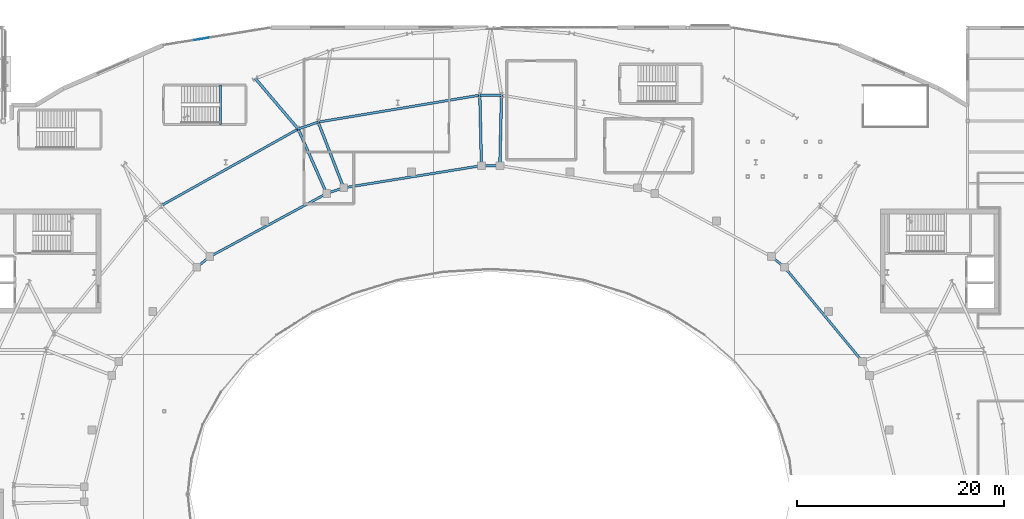
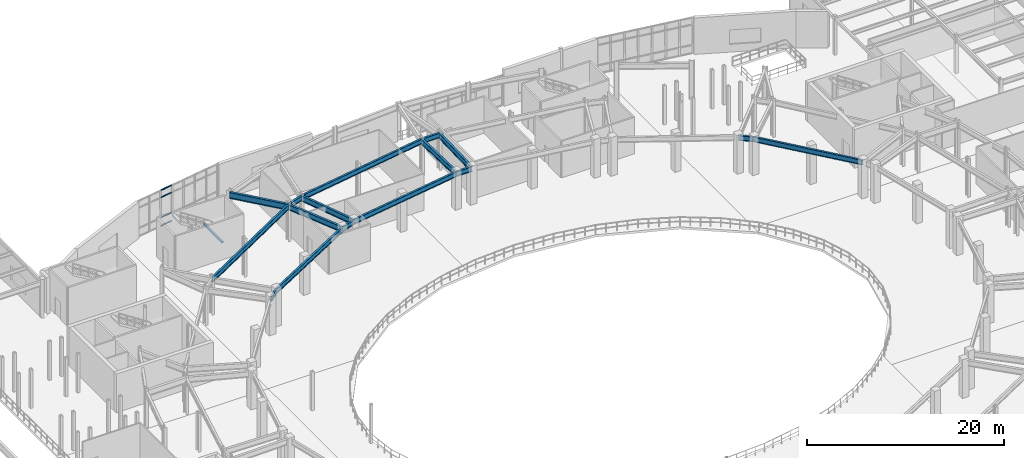
# One storey, part 43 of 86: 17 beams, 4 members, 1 element without a shape of its own.
"""IFC4 building model written with IfcOpenShell, lengths in metres."""

from ifc_helpers import new_model, si_unit, direction, frame, origin, origin_2d, place, context, subcontext, project, spatial, rectangle, hollow_rectangle, i_section, extrude, material, material_profile, profile_set, type_object, element, aggregate, save


model = new_model("IFC4")

# Units and contexts
model_context = context("Model", 3, precision=1e-05, world=origin(), true_north=direction((0.0, 1.0)))
body_context = subcontext(model_context, "Body", "Model", "MODEL_VIEW")
ifc_project = project(units=[si_unit("LENGTHUNIT", "METRE"), si_unit("AREAUNIT", "SQUARE_METRE"), si_unit("VOLUMEUNIT", "CUBIC_METRE"), si_unit("PLANEANGLEUNIT", "RADIAN"), si_unit("MASSUNIT", "GRAM", prefix="KILO")], contexts=[model_context])

# Site, building, storey
site_placement = place(None, origin())
site = spatial("IfcSite", under=ifc_project, at=site_placement, CompositionType="ELEMENT")
building_placement = place(site_placement, origin())
building = spatial("IfcBuilding", under=site, at=building_placement, Name="Glasvene Arena", CompositionType="ELEMENT")
storey_placement = place(building_placement, frame((0.0, 0.0, 5.39990234375)))
storey = spatial("IfcBuildingStorey", under=building, at=storey_placement, Name="L01", CompositionType="ELEMENT", Elevation=5.39990234375)

# Beams
ifc_material_1 = material(Name="Steel S355J2", Category="steel")
ifc_material_profile_1 = material_profile(ifc_material_1, i_section(OverallWidth=0.228271484375, OverallDepth=0.607666015625, WebThickness=0.010986328125, FlangeThickness=0.017333984375, FilletRadius=0.0126953125, at=origin_2d()), Name="UKB 610x229x113")
ifc_profile_set_1 = profile_set([ifc_material_profile_1], Name="Steel S355J2")
beam_type_1 = type_object("IfcBeamType", Name="BM-GIRD-610", PredefinedType="BEAM", material=ifc_profile_set_1)
beam_1_placement = place(storey_placement, frame((127.866455078125, 85.79248046875, 4.215087890625), z_axis=(-0.636971685607, 0.770887197802, 0.0), x_axis=(-0.770887197802, -0.636971685607, 0.0)))
element("IfcBeam", 1, at=beam_1_placement, inside=storey, type_object=beam_type_1, Name="Mid-bowl ring girder L01-03", PredefinedType="BEAM", context=body_context, shape_type="SweptSolid", body=[
    extrude(i_section(OverallWidth=0.228271484375, OverallDepth=0.607666015625, WebThickness=0.010986328125, FlangeThickness=0.017333984375, FilletRadius=0.0126953125, at=origin_2d()), origin(), (0.0, 0.0, 1.0), 11.8154296875),
])
beam_2_placement = place(storey_placement, frame((120.34033203125, 94.90087890625, 4.215087890625), z_axis=(-0.77751541262, 0.628863882839, 0.0), x_axis=(-0.628863882839, -0.77751541262, 0.0)))
element("IfcBeam", 2, at=beam_2_placement, inside=storey, type_object=beam_type_1, Name="Mid-bowl ring girder L01-04", PredefinedType="BEAM", context=body_context, shape_type="SweptSolid", body=[
    extrude(i_section(OverallWidth=0.228271484375, OverallDepth=0.607666015625, WebThickness=0.010986328125, FlangeThickness=0.017333984375, FilletRadius=0.0126953125, at=origin_2d()), origin(), (0.0, 0.0, 1.0), 1.61767578125),
])
beam_3_placement = place(storey_placement, frame((93.043701171875, 111.489990234375, 4.215087890625), z_axis=(-1.0, 0.0, 0.0), x_axis=(0.0, -1.0, 0.0)))
element("IfcBeam", 3, at=beam_3_placement, inside=storey, type_object=beam_type_1, Name="Concourse inner ring girder L01-08", PredefinedType="BEAM", context=body_context, shape_type="SweptSolid", body=[
    extrude(i_section(OverallWidth=0.228271484375, OverallDepth=0.607666015625, WebThickness=0.010986328125, FlangeThickness=0.017333984375, FilletRadius=0.0126953125, at=origin_2d()), origin(), (0.0, 0.0, 1.0), 2.08740234375),
])
beam_4_placement = place(storey_placement, frame((92.889404296875, 104.69189453125, 4.215087890625), z_axis=(-1.0, 0.0, 0.0), x_axis=(0.0, -1.0, 0.0)))
element("IfcBeam", 4, at=beam_4_placement, inside=storey, type_object=beam_type_1, Name="Mid-bowl ring girder L01-08", PredefinedType="BEAM", context=body_context, shape_type="SweptSolid", body=[
    extrude(i_section(OverallWidth=0.228271484375, OverallDepth=0.607666015625, WebThickness=0.010986328125, FlangeThickness=0.017333984375, FilletRadius=0.0126953125, at=origin_2d()), origin(), (0.0, 0.0, 1.0), 1.77880859375),
])
beam_5_placement = place(storey_placement, frame((90.956298828125, 111.489990234375, 4.215087890625), z_axis=(-0.986425216298, -0.164211122194, 0.0), x_axis=(0.164211122194, -0.986425216298, 0.0)))
element("IfcBeam", 5, at=beam_5_placement, inside=storey, type_object=beam_type_1, Name="Concourse inner ring girder L01-09", PredefinedType="BEAM", context=body_context, shape_type="SweptSolid", body=[
    extrude(i_section(OverallWidth=0.228271484375, OverallDepth=0.607666015625, WebThickness=0.010986328125, FlangeThickness=0.017333984375, FilletRadius=0.0126953125, at=origin_2d()), origin(), (0.0, 0.0, 1.0), 15.8056640625),
])
beam_6_placement = place(storey_placement, frame((91.110595703125, 104.69189453125, 4.215087890625), z_axis=(-0.987308283351, -0.15881547036, 0.0), x_axis=(0.15881547036, -0.987308283351, 0.0)))
element("IfcBeam", 6, at=beam_6_placement, inside=storey, type_object=beam_type_1, Name="Mid-bowl ring girder L01-09", PredefinedType="BEAM", context=body_context, shape_type="SweptSolid", body=[
    extrude(i_section(OverallWidth=0.228271484375, OverallDepth=0.607666015625, WebThickness=0.010986328125, FlangeThickness=0.017333984375, FilletRadius=0.0126953125, at=origin_2d()), origin(), (0.0, 0.0, 1.0), 13.457275390625),
])
beam_7_placement = place(storey_placement, frame((75.365234375, 108.89453125, 4.215087890625), z_axis=(-0.944798184006, -0.327652852114, 0.0), x_axis=(0.327652852114, -0.944798184006, 0.0)))
element("IfcBeam", 7, at=beam_7_placement, inside=storey, type_object=beam_type_1, Name="Concourse inner ring girder L01-10", PredefinedType="BEAM", context=body_context, shape_type="SweptSolid", body=[
    extrude(i_section(OverallWidth=0.228271484375, OverallDepth=0.607666015625, WebThickness=0.010986328125, FlangeThickness=0.017333984375, FilletRadius=0.0126953125, at=origin_2d()), origin(), (0.0, 0.0, 1.0), 2.040771484375),
])
beam_8_placement = place(storey_placement, frame((77.82421875, 102.5546875, 4.215087890625), z_axis=(-0.948203248213, -0.317664288326, 0.0), x_axis=(0.317664288326, -0.948203248213, 0.0)))
element("IfcBeam", 8, at=beam_8_placement, inside=storey, type_object=beam_type_1, Name="Mid-bowl ring girder L01-10", PredefinedType="BEAM", context=body_context, shape_type="SweptSolid", body=[
    extrude(i_section(OverallWidth=0.228271484375, OverallDepth=0.607666015625, WebThickness=0.010986328125, FlangeThickness=0.017333984375, FilletRadius=0.0126953125, at=origin_2d()), origin(), (0.0, 0.0, 1.0), 1.733154296875),
])
beam_9_placement = place(storey_placement, frame((73.43701171875, 108.225830078125, 4.215087890625), z_axis=(-0.87279341778, -0.488089796943, 0.0), x_axis=(0.488089796943, -0.87279341778, 0.0)))
element("IfcBeam", 9, at=beam_9_placement, inside=storey, type_object=beam_type_1, Name="Concourse inner ring girder L01-11", PredefinedType="BEAM", context=body_context, shape_type="SweptSolid", body=[
    extrude(i_section(OverallWidth=0.228271484375, OverallDepth=0.607666015625, WebThickness=0.010986328125, FlangeThickness=0.017333984375, FilletRadius=0.0126953125, at=origin_2d()), origin(), (0.0, 0.0, 1.0), 15.14404296875),
])
beam_10_placement = place(storey_placement, frame((76.180908203125, 102.004150390625, 4.215087890625), z_axis=(-0.879784979892, -0.475371843042, 0.0), x_axis=(0.475371843042, -0.879784979892, 0.0)))
element("IfcBeam", 10, at=beam_10_placement, inside=storey, type_object=beam_type_1, Name="Mid-bowl ring girder L01-11", PredefinedType="BEAM", context=body_context, shape_type="SweptSolid", body=[
    extrude(i_section(OverallWidth=0.228271484375, OverallDepth=0.607666015625, WebThickness=0.010986328125, FlangeThickness=0.017333984375, FilletRadius=0.0126953125, at=origin_2d()), origin(), (0.0, 0.0, 1.0), 12.802490234375),
])
beam_11_placement = place(storey_placement, frame((64.91748046875, 95.918212890625, 4.215087890625), z_axis=(-0.77751541262, -0.628863882839, 0.0), x_axis=(0.628863882839, -0.77751541262, 0.0)))
element("IfcBeam", 11, at=beam_11_placement, inside=storey, type_object=beam_type_1, Name="Mid-bowl ring girder L01-12", PredefinedType="BEAM", context=body_context, shape_type="SweptSolid", body=[
    extrude(i_section(OverallWidth=0.228271484375, OverallDepth=0.607666015625, WebThickness=0.010986328125, FlangeThickness=0.017333984375, FilletRadius=0.0126953125, at=origin_2d()), origin(), (0.0, 0.0, 1.0), 1.61767578125),
])
ifc_material_profile_2 = material_profile(ifc_material_1, i_section(OverallWidth=0.253662109375, OverallDepth=0.68359375, WebThickness=0.012451171875, FlangeThickness=0.01904296875, FilletRadius=0.01513671875, at=origin_2d()), Name="UKB 686x254x140")
ifc_profile_set_2 = profile_set([ifc_material_profile_2], Name="Steel S355J2")
beam_type_2 = type_object("IfcBeamType", Name="BM-GIRD-686", PredefinedType="BEAM", material=ifc_profile_set_2)
for number, where, z_axis, x_axis, name in (
    (12, (92.889404296875, 104.69189453125, 4.17822265625), (0.022691229062, 0.999742520914, 0.0), (-0.999742520914, 0.022691229062, 0.0), "Mid-to-rear radial girder L01-08"),
    (13, (91.110595703125, 104.69189453125, 4.17822265625), (-0.022691229062, 0.999742520914, 0.0), (-0.999742520914, -0.022691229062, 0.0), "Mid-to-rear radial girder L01-09"),
):
    element("IfcBeam", number, at=place(storey_placement, frame(where, z_axis=z_axis, x_axis=x_axis)), inside=storey, type_object=beam_type_2, Name=name, PredefinedType="BEAM", context=body_context, shape_type="SweptSolid", body=[
        extrude(i_section(OverallWidth=0.253662109375, OverallDepth=0.68359375, WebThickness=0.012451171875, FlangeThickness=0.01904296875, FilletRadius=0.01513671875, at=origin_2d()), origin(), (0.0, 0.0, 1.0), 6.7998046875),
    ])
beam_12_placement = place(storey_placement, frame((77.82421875, 102.5546875, 4.17822265625), z_axis=(-0.361614477563, 0.932327715783, 0.0), x_axis=(-0.932327715783, -0.361614477563, 0.0)))
element("IfcBeam", 14, at=beam_12_placement, inside=storey, type_object=beam_type_2, Name="Mid-to-rear radial girder L01-10", PredefinedType="BEAM", context=body_context, shape_type="SweptSolid", body=[
    extrude(i_section(OverallWidth=0.253662109375, OverallDepth=0.68359375, WebThickness=0.012451171875, FlangeThickness=0.01904296875, FilletRadius=0.01513671875, at=origin_2d()), origin(), (0.0, 0.0, 1.0), 6.800048828125),
])
beam_13_placement = place(storey_placement, frame((76.180908203125, 102.004150390625, 4.17822265625), z_axis=(-0.403521754761, 0.914970050567, 0.0), x_axis=(-0.914970050567, -0.403521754761, 0.0)))
element("IfcBeam", 15, at=beam_13_placement, inside=storey, type_object=beam_type_2, Name="Mid-to-rear radial girder L01-11", PredefinedType="BEAM", context=body_context, shape_type="SweptSolid", body=[
    extrude(i_section(OverallWidth=0.253662109375, OverallDepth=0.68359375, WebThickness=0.012451171875, FlangeThickness=0.01904296875, FilletRadius=0.01513671875, at=origin_2d()), origin(), (0.0, 0.0, 1.0), 6.7998046875),
])
ifc_material_profile_3 = material_profile(ifc_material_1, i_section(OverallWidth=0.2666015625, OverallDepth=0.76220703125, WebThickness=0.014404296875, FlangeThickness=0.021484375, FilletRadius=0.0166015625, at=origin_2d()), Name="UKB 762x267x173")
ifc_profile_set_3 = profile_set([ifc_material_profile_3], Name="Steel S355J2")
beam_type_3 = type_object("IfcBeamType", Name="BM-GIRD-762", PredefinedType="BEAM", material=ifc_profile_set_3)
beam_14_placement = place(storey_placement, frame((73.43701171875, 108.225830078125, 4.138916015625), z_axis=(-0.647421006623, 0.762132560768, 0.0), x_axis=(-0.762132560768, -0.647421006623, 0.0)))
element("IfcBeam", 16, at=beam_14_placement, inside=storey, type_object=beam_type_3, Name="Radial concourse girder L01-11", PredefinedType="BEAM", context=body_context, shape_type="SweptSolid", body=[
    extrude(i_section(OverallWidth=0.2666015625, OverallDepth=0.76220703125, WebThickness=0.014404296875, FlangeThickness=0.021484375, FilletRadius=0.0166015625, at=origin_2d()), origin(), (0.0, 0.0, 1.0), 6.38916015625),
])
ifc_material_profile_4 = material_profile(ifc_material_1, hollow_rectangle(XDim=0.199951171875, YDim=0.199951171875, WallThickness=0.010009765625, at=origin_2d()), Name="SHS 200x200x10.0")
ifc_profile_set_4 = profile_set([ifc_material_profile_4], Name="Steel S355J2")
beam_type_4 = type_object("IfcBeamType", Name="BM-LINTEL-200", PredefinedType="LINTEL", material=ifc_profile_set_4)
beam_15_placement = place(storey_placement, frame((65.9599609375, 108.679931640625, 2.080078125), z_axis=(0.0, 1.0, 0.0), x_axis=(-1.0, 0.0, 0.0)))
element("IfcBeam", 17, at=beam_15_placement, inside=storey, type_object=beam_type_4, Name="Stair half-landing support beam ST-10-L01", PredefinedType="LINTEL", context=body_context, shape_type="SweptSolid", body=[
    extrude(hollow_rectangle(XDim=0.199951171875, YDim=0.199951171875, WallThickness=0.010009765625, at=origin_2d()), origin(), (0.0, 0.0, 1.0), 3.7900390625),
])

# Curtain wall, members
ifc_material_2 = material(Name="Low-emissivity laminated double glazing", Category="glass")
curtain_wall_type = type_object("IfcCurtainWallType", Name="CW-FAC-L01-1047x446", PredefinedType="USERDEFINED", material=ifc_material_2)
curtain_wall_placement = place(storey_placement, frame((60.42041015625, 116.314208984375, 0.0)))
curtain_wall = element("IfcCurtainWall", 18, at=curtain_wall_placement, inside=storey, type_object=curtain_wall_type, Name="Unitised curtain wall CW-F-L01-180-656-1172-10", ObjectType="CURTAIN WALL", PredefinedType="USERDEFINED")
ifc_material_3 = material(Name="Anodised architectural aluminium", Category="aluminium")
ifc_material_profile_5 = material_profile(ifc_material_3, rectangle(XDim=0.050048828125, YDim=0.14990234375, at=origin_2d()), Name="ALU TRANSOM 50x150")
ifc_profile_set_5 = profile_set([ifc_material_profile_5], Name="Anodised architectural aluminium")
member_type = type_object("IfcMemberType", Name="CW-TRN-150", PredefinedType="USERDEFINED", material=ifc_profile_set_5)
member_1_placement = place(storey_placement, frame((63.3984375, 116.7978515625, 0.085205078125), z_axis=(0.987056409266, 0.160373454558, 0.0), x_axis=(-0.160373454558, 0.987056409266, 0.0)))
member_1 = element("IfcMember", 19, at=member_1_placement, type_object=member_type, Name="CW-008 transom 3.1", ObjectType="TRANSOM", PredefinedType="USERDEFINED", context=body_context, shape_type="SweptSolid", body=[
    extrude(rectangle(XDim=0.050048828125, YDim=0.14990234375, at=origin_2d()), origin(), (0.0, 0.0, 1.0), 1.4462890625),
])
member_2_placement = place(storey_placement, frame((63.3984375, 116.7978515625, 1.10009765625), z_axis=(0.987056409266, 0.160373454558, 0.0), x_axis=(-0.160373454558, 0.987056409266, 0.0)))
member_2 = element("IfcMember", 20, at=member_2_placement, type_object=member_type, Name="CW-008 transom 3.2", ObjectType="TRANSOM", PredefinedType="USERDEFINED", context=body_context, shape_type="SweptSolid", body=[
    extrude(rectangle(XDim=0.050048828125, YDim=0.14990234375, at=origin_2d()), origin(), (0.0, 0.0, 1.0), 1.4462890625),
])
member_3_placement = place(storey_placement, frame((63.3984375, 116.7978515625, 3.6201171875), z_axis=(0.987056409266, 0.160373454558, 0.0), x_axis=(-0.160373454558, 0.987056409266, 0.0)))
member_3 = element("IfcMember", 21, at=member_3_placement, type_object=member_type, Name="CW-008 transom 3.3", ObjectType="TRANSOM", PredefinedType="USERDEFINED", context=body_context, shape_type="SweptSolid", body=[
    extrude(rectangle(XDim=0.050048828125, YDim=0.14990234375, at=origin_2d()), origin(), (0.0, 0.0, 1.0), 1.4462890625),
])
member_4_placement = place(storey_placement, frame((63.3984375, 116.7978515625, 4.4951171875), z_axis=(0.987056409266, 0.160373454558, 0.0), x_axis=(-0.160373454558, 0.987056409266, 0.0)))
member_4 = element("IfcMember", 22, at=member_4_placement, type_object=member_type, Name="CW-008 transom 3.4", ObjectType="TRANSOM", PredefinedType="USERDEFINED", context=body_context, shape_type="SweptSolid", body=[
    extrude(rectangle(XDim=0.050048828125, YDim=0.14990234375, at=origin_2d()), origin(), (0.0, 0.0, 1.0), 1.4462890625),
])
aggregate(curtain_wall, [member_1, member_2, member_3, member_4])

save(model, "model.ifc")
